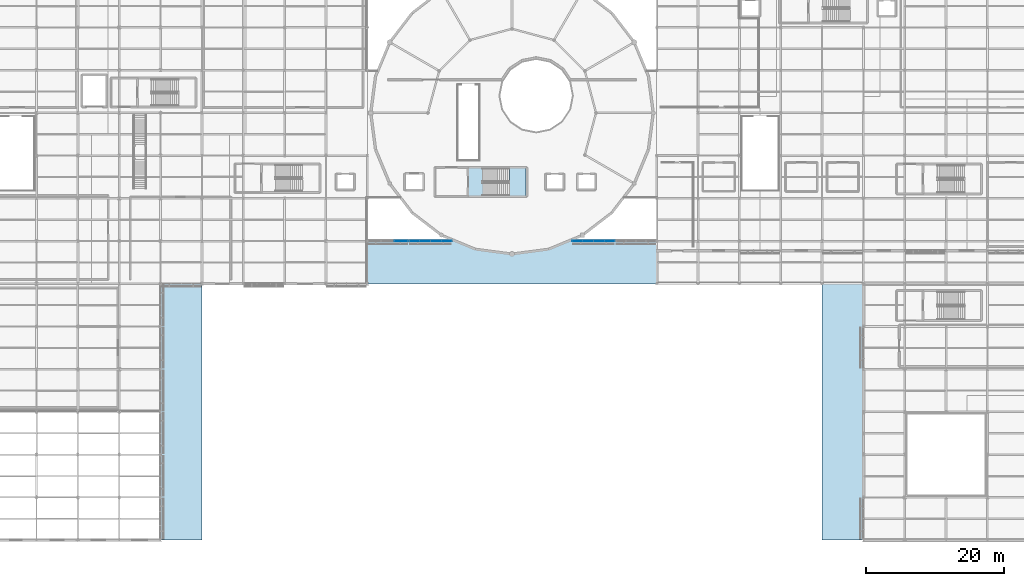
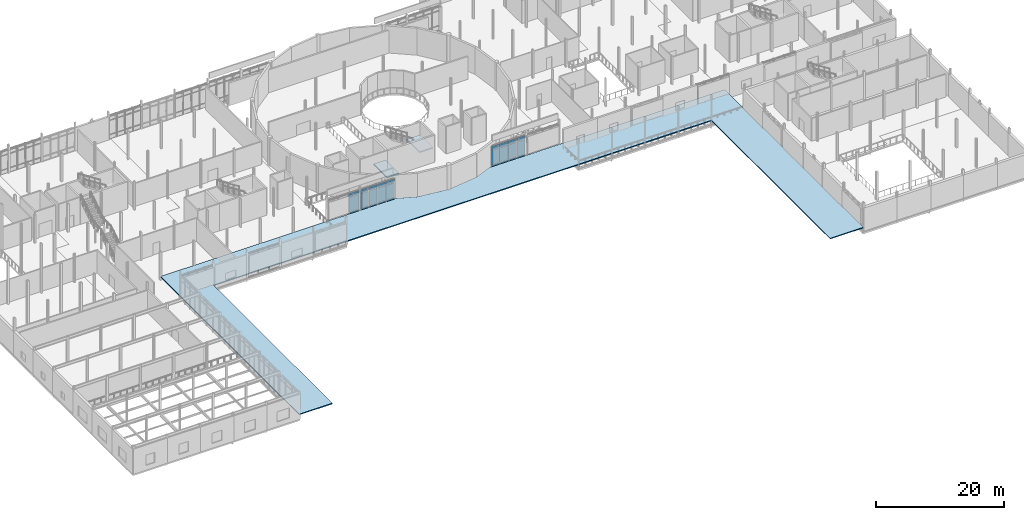
# One storey, part 57 of 105: 27 plates, 3 slabs, 4 elements without a shape of their own.
"""IFC4 building model written with IfcOpenShell, lengths in metres."""

from ifc_helpers import new_model, si_unit, direction, frame, origin, origin_2d, place, context, subcontext, project, spatial, polyline, rectangle, outline, extrude, material, layer, layer_set, type_object, element, aggregate, save


model = new_model("IFC4")

# Units and contexts
model_context = context("Model", 3, precision=1e-05, world=origin(), true_north=direction((0.0, 1.0)))
body_context = subcontext(model_context, "Body", "Model", "MODEL_VIEW")
ifc_project = project(units=[si_unit("LENGTHUNIT", "METRE"), si_unit("AREAUNIT", "SQUARE_METRE"), si_unit("VOLUMEUNIT", "CUBIC_METRE"), si_unit("PLANEANGLEUNIT", "RADIAN"), si_unit("MASSUNIT", "GRAM", prefix="KILO")], contexts=[model_context])

# Site, building, storey
site_placement = place(None, origin())
site = spatial("IfcSite", under=ifc_project, at=site_placement, CompositionType="ELEMENT")
building_placement = place(site_placement, origin())
building = spatial("IfcBuilding", under=site, at=building_placement, Name="Mirzam Square Science Centre", CompositionType="ELEMENT")
storey_placement = place(building_placement, frame((0.0, 0.0, 5.39990234375)))
storey = spatial("IfcBuildingStorey", under=building, at=storey_placement, Name="L01", CompositionType="ELEMENT", Elevation=5.39990234375)

# Curtain wall, plates
ifc_material_1 = material(Name="Anodised Aluminium and Low-E Solar Glass", Category="aluminium")
ifc_layer_1 = layer(ifc_material_1, 0.239990234375)
ifc_layer_set_1 = layer_set([ifc_layer_1], Name="CW-EAST-B")
curtain_wall_type_1 = type_object("IfcCurtainWallType", Name="CW-EAST-B", PredefinedType="USERDEFINED", material=ifc_layer_set_1)
curtain_wall_1_placement = place(storey_placement, origin())
curtain_wall_1 = element("IfcCurtainWall", 1, at=curtain_wall_1_placement, inside=storey, type_object=curtain_wall_type_1, Name="L01 unitised curtain wall 51", ObjectType="UNITISED CURTAIN WALL", PredefinedType="USERDEFINED")
ifc_material_2 = material(Name="Ceramic-Fritted Courtyard Solar Glass", Category="glass")
ifc_layer_2 = layer(ifc_material_2, 0.02392578125)
ifc_layer_set_2 = layer_set([ifc_layer_2], Name="CWP-GLZ-24")
plate_type_1 = type_object("IfcPlateType", Name="CWP-GLZ-24", PredefinedType="CURTAIN_PANEL", material=ifc_layer_set_2)
plate_1_placement = place(storey_placement, frame((64.947021484375, 43.39990234375, 0.06494140625), z_axis=(0.0, 0.0, 1.0), x_axis=(1.0, 0.0, 0.0)))
plate_1 = element("IfcPlate", 2, at=plate_1_placement, type_object=plate_type_1, Name="CW-06 panel 3.1", PredefinedType="CURTAIN_PANEL", context=body_context, shape_type="SweptSolid", body=[
    extrude(rectangle(XDim=1.86572265625, YDim=0.02392578125, at=origin_2d()), origin(), (0.0, 0.0, 1.0), 0.802490234375),
])
plate_2_placement = place(storey_placement, frame((64.947021484375, 43.39990234375, 0.9326171875), z_axis=(0.0, 0.0, 1.0), x_axis=(1.0, 0.0, 0.0)))
plate_2 = element("IfcPlate", 3, at=plate_2_placement, type_object=plate_type_1, Name="CW-06 panel 3.2", PredefinedType="CURTAIN_PANEL", context=body_context, shape_type="SweptSolid", body=[
    extrude(rectangle(XDim=1.86572265625, YDim=0.02392578125, at=origin_2d()), origin(), (0.0, 0.0, 1.0), 2.784912109375),
])
plate_3_placement = place(storey_placement, frame((64.947021484375, 43.39990234375, 3.78271484375), z_axis=(0.0, 0.0, 1.0), x_axis=(1.0, 0.0, 0.0)))
plate_3 = element("IfcPlate", 4, at=plate_3_placement, type_object=plate_type_1, Name="CW-06 panel 3.3", PredefinedType="CURTAIN_PANEL", context=body_context, shape_type="SweptSolid", body=[
    extrude(rectangle(XDim=1.86572265625, YDim=0.02392578125, at=origin_2d()), origin(), (0.0, 0.0, 1.0), 0.702392578125),
])
aggregate(curtain_wall_1, [plate_1, plate_2, plate_3])

ifc_layer_3 = layer(ifc_material_1, 0.179931640625)
ifc_layer_set_3 = layer_set([ifc_layer_3], Name="CW-LINK-A")
curtain_wall_type_2 = type_object("IfcCurtainWallType", Name="CW-LINK-A", PredefinedType="USERDEFINED", material=ifc_layer_set_3)
curtain_wall_2_placement = place(storey_placement, origin())
curtain_wall_2 = element("IfcCurtainWall", 5, at=curtain_wall_2_placement, inside=storey, type_object=curtain_wall_type_2, Name="L01 unitised curtain wall 53", ObjectType="UNITISED CURTAIN WALL", PredefinedType="USERDEFINED")
ifc_material_3 = material(Name="Double-Silver Low-E Insulated Solar Glass", Category="glass")
ifc_layer_4 = layer(ifc_material_3, 0.028076171875)
ifc_layer_set_4 = layer_set([ifc_layer_4], Name="CWP-GLZ-28")
plate_type_2 = type_object("IfcPlateType", Name="CWP-GLZ-28", PredefinedType="CURTAIN_PANEL", material=ifc_layer_set_4)
plate_4_placement = place(storey_placement, frame((66.85009765625, 43.39990234375, 0.06005859375), z_axis=(0.0, 0.0, 1.0), x_axis=(1.0, 0.0, 0.0)))
plate_4 = element("IfcPlate", 6, at=plate_4_placement, type_object=plate_type_2, Name="CW-08 panel 1.1", PredefinedType="CURTAIN_PANEL", context=body_context, shape_type="SweptSolid", body=[
    extrude(rectangle(XDim=1.469970703125, YDim=0.028076171875, at=origin_2d()), origin(), (0.0, 0.0, 1.0), 0.81005859375),
])
plate_5_placement = place(storey_placement, frame((66.85009765625, 43.39990234375, 0.93017578125), z_axis=(0.0, 0.0, 1.0), x_axis=(1.0, 0.0, 0.0)))
plate_5 = element("IfcPlate", 7, at=plate_5_placement, type_object=plate_type_2, Name="CW-08 panel 1.2", PredefinedType="CURTAIN_PANEL", context=body_context, shape_type="SweptSolid", body=[
    extrude(rectangle(XDim=1.469970703125, YDim=0.028076171875, at=origin_2d()), origin(), (0.0, 0.0, 1.0), 2.7900390625),
])
plate_6_placement = place(storey_placement, frame((66.85009765625, 43.39990234375, 3.780029296875), z_axis=(0.0, 0.0, 1.0), x_axis=(1.0, 0.0, 0.0)))
plate_6 = element("IfcPlate", 8, at=plate_6_placement, type_object=plate_type_2, Name="CW-08 panel 1.3", PredefinedType="CURTAIN_PANEL", context=body_context, shape_type="SweptSolid", body=[
    extrude(rectangle(XDim=1.469970703125, YDim=0.028076171875, at=origin_2d()), origin(), (0.0, 0.0, 1.0), 0.7099609375),
])
plate_7_placement = place(storey_placement, frame((68.39501953125, 43.39990234375, 0.06005859375), z_axis=(0.0, 0.0, 1.0), x_axis=(1.0, 0.0, 0.0)))
plate_7 = element("IfcPlate", 9, at=plate_7_placement, type_object=plate_type_2, Name="CW-08 panel 2.1", PredefinedType="CURTAIN_PANEL", context=body_context, shape_type="SweptSolid", body=[
    extrude(rectangle(XDim=1.5, YDim=0.028076171875, at=origin_2d()), origin(), (0.0, 0.0, 1.0), 0.81005859375),
])
plate_8_placement = place(storey_placement, frame((68.39501953125, 43.39990234375, 0.93017578125), z_axis=(0.0, 0.0, 1.0), x_axis=(1.0, 0.0, 0.0)))
plate_8 = element("IfcPlate", 10, at=plate_8_placement, type_object=plate_type_2, Name="CW-08 panel 2.2", PredefinedType="CURTAIN_PANEL", context=body_context, shape_type="SweptSolid", body=[
    extrude(rectangle(XDim=1.5, YDim=0.028076171875, at=origin_2d()), origin(), (0.0, 0.0, 1.0), 2.7900390625),
])
plate_9_placement = place(storey_placement, frame((68.39501953125, 43.39990234375, 3.780029296875), z_axis=(0.0, 0.0, 1.0), x_axis=(1.0, 0.0, 0.0)))
plate_9 = element("IfcPlate", 11, at=plate_9_placement, type_object=plate_type_2, Name="CW-08 panel 2.3", PredefinedType="CURTAIN_PANEL", context=body_context, shape_type="SweptSolid", body=[
    extrude(rectangle(XDim=1.5, YDim=0.028076171875, at=origin_2d()), origin(), (0.0, 0.0, 1.0), 0.7099609375),
])
plate_10_placement = place(storey_placement, frame((69.955078125, 43.39990234375, 0.06005859375), z_axis=(0.0, 0.0, 1.0), x_axis=(1.0, 0.0, 0.0)))
plate_10 = element("IfcPlate", 12, at=plate_10_placement, type_object=plate_type_2, Name="CW-08 panel 3.1", PredefinedType="CURTAIN_PANEL", context=body_context, shape_type="SweptSolid", body=[
    extrude(rectangle(XDim=1.5, YDim=0.028076171875, at=origin_2d()), origin(), (0.0, 0.0, 1.0), 0.81005859375),
])
plate_11_placement = place(storey_placement, frame((69.955078125, 43.39990234375, 0.93017578125), z_axis=(0.0, 0.0, 1.0), x_axis=(1.0, 0.0, 0.0)))
plate_11 = element("IfcPlate", 13, at=plate_11_placement, type_object=plate_type_2, Name="CW-08 panel 3.2", PredefinedType="CURTAIN_PANEL", context=body_context, shape_type="SweptSolid", body=[
    extrude(rectangle(XDim=1.5, YDim=0.028076171875, at=origin_2d()), origin(), (0.0, 0.0, 1.0), 2.7900390625),
])
plate_12_placement = place(storey_placement, frame((69.955078125, 43.39990234375, 3.780029296875), z_axis=(0.0, 0.0, 1.0), x_axis=(1.0, 0.0, 0.0)))
plate_12 = element("IfcPlate", 14, at=plate_12_placement, type_object=plate_type_2, Name="CW-08 panel 3.3", PredefinedType="CURTAIN_PANEL", context=body_context, shape_type="SweptSolid", body=[
    extrude(rectangle(XDim=1.5, YDim=0.028076171875, at=origin_2d()), origin(), (0.0, 0.0, 1.0), 0.7099609375),
])
plate_13_placement = place(storey_placement, frame((71.5, 43.39990234375, 0.06005859375), z_axis=(0.0, 0.0, 1.0), x_axis=(1.0, 0.0, 0.0)))
plate_13 = element("IfcPlate", 15, at=plate_13_placement, type_object=plate_type_2, Name="CW-08 panel 4.1", PredefinedType="CURTAIN_PANEL", context=body_context, shape_type="SweptSolid", body=[
    extrude(rectangle(XDim=1.469970703125, YDim=0.028076171875, at=origin_2d()), origin(), (0.0, 0.0, 1.0), 0.81005859375),
])
plate_14_placement = place(storey_placement, frame((71.5, 43.39990234375, 0.93017578125), z_axis=(0.0, 0.0, 1.0), x_axis=(1.0, 0.0, 0.0)))
plate_14 = element("IfcPlate", 16, at=plate_14_placement, type_object=plate_type_2, Name="CW-08 panel 4.2", PredefinedType="CURTAIN_PANEL", context=body_context, shape_type="SweptSolid", body=[
    extrude(rectangle(XDim=1.469970703125, YDim=0.028076171875, at=origin_2d()), origin(), (0.0, 0.0, 1.0), 2.7900390625),
])
plate_15_placement = place(storey_placement, frame((71.5, 43.39990234375, 3.780029296875), z_axis=(0.0, 0.0, 1.0), x_axis=(1.0, 0.0, 0.0)))
plate_15 = element("IfcPlate", 17, at=plate_15_placement, type_object=plate_type_2, Name="CW-08 panel 4.3", PredefinedType="CURTAIN_PANEL", context=body_context, shape_type="SweptSolid", body=[
    extrude(rectangle(XDim=1.469970703125, YDim=0.028076171875, at=origin_2d()), origin(), (0.0, 0.0, 1.0), 0.7099609375),
])
aggregate(curtain_wall_2, [plate_4, plate_5, plate_6, plate_7, plate_8, plate_9, plate_10, plate_11, plate_12, plate_13, plate_14, plate_15])

curtain_wall_3_placement = place(storey_placement, origin())
curtain_wall_3 = element("IfcCurtainWall", 18, at=curtain_wall_3_placement, inside=storey, type_object=curtain_wall_type_2, Name="L01 unitised curtain wall 55", ObjectType="UNITISED CURTAIN WALL", PredefinedType="USERDEFINED")
plate_16_placement = place(storey_placement, frame((90.5, 43.39990234375, 0.06005859375), z_axis=(0.0, 0.0, 1.0), x_axis=(1.0, 0.0, 0.0)))
plate_16 = element("IfcPlate", 19, at=plate_16_placement, type_object=plate_type_2, Name="CW-08 panel 1.1", PredefinedType="CURTAIN_PANEL", context=body_context, shape_type="SweptSolid", body=[
    extrude(rectangle(XDim=1.469970703125, YDim=0.028076171875, at=origin_2d()), origin(), (0.0, 0.0, 1.0), 0.81005859375),
])
plate_17_placement = place(storey_placement, frame((90.5, 43.39990234375, 0.93017578125), z_axis=(0.0, 0.0, 1.0), x_axis=(1.0, 0.0, 0.0)))
plate_17 = element("IfcPlate", 20, at=plate_17_placement, type_object=plate_type_2, Name="CW-08 panel 1.2", PredefinedType="CURTAIN_PANEL", context=body_context, shape_type="SweptSolid", body=[
    extrude(rectangle(XDim=1.469970703125, YDim=0.028076171875, at=origin_2d()), origin(), (0.0, 0.0, 1.0), 2.7900390625),
])
plate_18_placement = place(storey_placement, frame((90.5, 43.39990234375, 3.780029296875), z_axis=(0.0, 0.0, 1.0), x_axis=(1.0, 0.0, 0.0)))
plate_18 = element("IfcPlate", 21, at=plate_18_placement, type_object=plate_type_2, Name="CW-08 panel 1.3", PredefinedType="CURTAIN_PANEL", context=body_context, shape_type="SweptSolid", body=[
    extrude(rectangle(XDim=1.469970703125, YDim=0.028076171875, at=origin_2d()), origin(), (0.0, 0.0, 1.0), 0.7099609375),
])
plate_19_placement = place(storey_placement, frame((92.044921875, 43.39990234375, 0.06005859375), z_axis=(0.0, 0.0, 1.0), x_axis=(1.0, 0.0, 0.0)))
plate_19 = element("IfcPlate", 22, at=plate_19_placement, type_object=plate_type_2, Name="CW-08 panel 2.1", PredefinedType="CURTAIN_PANEL", context=body_context, shape_type="SweptSolid", body=[
    extrude(rectangle(XDim=1.5, YDim=0.028076171875, at=origin_2d()), origin(), (0.0, 0.0, 1.0), 0.81005859375),
])
plate_20_placement = place(storey_placement, frame((92.044921875, 43.39990234375, 0.93017578125), z_axis=(0.0, 0.0, 1.0), x_axis=(1.0, 0.0, 0.0)))
plate_20 = element("IfcPlate", 23, at=plate_20_placement, type_object=plate_type_2, Name="CW-08 panel 2.2", PredefinedType="CURTAIN_PANEL", context=body_context, shape_type="SweptSolid", body=[
    extrude(rectangle(XDim=1.5, YDim=0.028076171875, at=origin_2d()), origin(), (0.0, 0.0, 1.0), 2.7900390625),
])
plate_21_placement = place(storey_placement, frame((92.044921875, 43.39990234375, 3.780029296875), z_axis=(0.0, 0.0, 1.0), x_axis=(1.0, 0.0, 0.0)))
plate_21 = element("IfcPlate", 24, at=plate_21_placement, type_object=plate_type_2, Name="CW-08 panel 2.3", PredefinedType="CURTAIN_PANEL", context=body_context, shape_type="SweptSolid", body=[
    extrude(rectangle(XDim=1.5, YDim=0.028076171875, at=origin_2d()), origin(), (0.0, 0.0, 1.0), 0.7099609375),
])
plate_22_placement = place(storey_placement, frame((93.60498046875, 43.39990234375, 0.06005859375), z_axis=(0.0, 0.0, 1.0), x_axis=(1.0, 0.0, 0.0)))
plate_22 = element("IfcPlate", 25, at=plate_22_placement, type_object=plate_type_2, Name="CW-08 panel 3.1", PredefinedType="CURTAIN_PANEL", context=body_context, shape_type="SweptSolid", body=[
    extrude(rectangle(XDim=1.5, YDim=0.028076171875, at=origin_2d()), origin(), (0.0, 0.0, 1.0), 0.81005859375),
])
plate_23_placement = place(storey_placement, frame((93.60498046875, 43.39990234375, 0.93017578125), z_axis=(0.0, 0.0, 1.0), x_axis=(1.0, 0.0, 0.0)))
plate_23 = element("IfcPlate", 26, at=plate_23_placement, type_object=plate_type_2, Name="CW-08 panel 3.2", PredefinedType="CURTAIN_PANEL", context=body_context, shape_type="SweptSolid", body=[
    extrude(rectangle(XDim=1.5, YDim=0.028076171875, at=origin_2d()), origin(), (0.0, 0.0, 1.0), 2.7900390625),
])
plate_24_placement = place(storey_placement, frame((93.60498046875, 43.39990234375, 3.780029296875), z_axis=(0.0, 0.0, 1.0), x_axis=(1.0, 0.0, 0.0)))
plate_24 = element("IfcPlate", 27, at=plate_24_placement, type_object=plate_type_2, Name="CW-08 panel 3.3", PredefinedType="CURTAIN_PANEL", context=body_context, shape_type="SweptSolid", body=[
    extrude(rectangle(XDim=1.5, YDim=0.028076171875, at=origin_2d()), origin(), (0.0, 0.0, 1.0), 0.7099609375),
])
plate_25_placement = place(storey_placement, frame((95.14990234375, 43.39990234375, 0.06005859375), z_axis=(0.0, 0.0, 1.0), x_axis=(1.0, 0.0, 0.0)))
plate_25 = element("IfcPlate", 28, at=plate_25_placement, type_object=plate_type_2, Name="CW-08 panel 4.1", PredefinedType="CURTAIN_PANEL", context=body_context, shape_type="SweptSolid", body=[
    extrude(rectangle(XDim=1.469970703125, YDim=0.028076171875, at=origin_2d()), origin(), (0.0, 0.0, 1.0), 0.81005859375),
])
plate_26_placement = place(storey_placement, frame((95.14990234375, 43.39990234375, 0.93017578125), z_axis=(0.0, 0.0, 1.0), x_axis=(1.0, 0.0, 0.0)))
plate_26 = element("IfcPlate", 29, at=plate_26_placement, type_object=plate_type_2, Name="CW-08 panel 4.2", PredefinedType="CURTAIN_PANEL", context=body_context, shape_type="SweptSolid", body=[
    extrude(rectangle(XDim=1.469970703125, YDim=0.028076171875, at=origin_2d()), origin(), (0.0, 0.0, 1.0), 2.7900390625),
])
plate_27_placement = place(storey_placement, frame((95.14990234375, 43.39990234375, 3.780029296875), z_axis=(0.0, 0.0, 1.0), x_axis=(1.0, 0.0, 0.0)))
plate_27 = element("IfcPlate", 30, at=plate_27_placement, type_object=plate_type_2, Name="CW-08 panel 4.3", PredefinedType="CURTAIN_PANEL", context=body_context, shape_type="SweptSolid", body=[
    extrude(rectangle(XDim=1.469970703125, YDim=0.028076171875, at=origin_2d()), origin(), (0.0, 0.0, 1.0), 0.7099609375),
])
aggregate(curtain_wall_3, [plate_16, plate_17, plate_18, plate_19, plate_20, plate_21, plate_22, plate_23, plate_24, plate_25, plate_26, plate_27])

# Slab
ifc_material_4 = material(Name="Bronze-Soffit Shaded Arcade Deck C40/50", Category="concrete")
ifc_layer_5 = layer(ifc_material_4, 0.179931640625)
ifc_layer_set_5 = layer_set([ifc_layer_5], Name="SL-ARCADE-ROOF-180")
slab_type_1 = type_object("IfcSlabType", Name="SL-ARCADE-ROOF-180", PredefinedType="ROOF", material=ifc_layer_set_5)
slab_1_placement = place(storey_placement, frame((0.0, 0.0, 0.420166015625)))
element("IfcSlab", 31, at=slab_1_placement, inside=storey, type_object=slab_type_1, Name="Three-sided civic square colonnade roof 1", PredefinedType="ROOF", context=body_context, shape_type="SweptSolid", body=[
    extrude(outline(polyline([(30.0, 0.0), (30.0, 43.39990234375), (72.63818359375, 43.39990234375), (75.6787109375, 42.140625), (81.0, 41.43994140625), (86.3212890625, 42.140625), (89.36181640625, 43.39990234375), (132.0, 43.39990234375), (132.0, 0.0), (126.0, 0.0), (126.0, 37.199951171875), (36.0, 37.199951171875), (36.0, 0.0), (30.0, 0.0)])), origin(), (0.0, 0.0, 1.0), 0.179931640625),
])

# Stair, slab
ifc_material_5 = material(Name="Concrete C40/50", Category="concrete")
stair_type = type_object("IfcStairType", Name="ST-CORE-3-540", PredefinedType="HALF_TURN_STAIR", material=ifc_material_5)
stair_placement = place(storey_placement, origin())
stair = element("IfcStair", 32, at=stair_placement, inside=storey, type_object=stair_type, Name="L01 ST-03", PredefinedType="HALF_TURN_STAIR")
ifc_layer_6 = layer(ifc_material_5, 0.199951171875)
ifc_layer_set_6 = layer_set([ifc_layer_6], Name="SL-LANDING-200")
slab_type_2 = type_object("IfcSlabType", Name="SL-LANDING-200", PredefinedType="LANDING", material=ifc_layer_set_6)
slab_2_placement = place(storey_placement, frame((0.0, 0.0, 2.5)))
slab_2 = element("IfcSlab", 33, at=slab_2_placement, type_object=slab_type_2, Name="ST-03 landing 1", PredefinedType="LANDING", context=body_context, shape_type="SweptSolid", body=[
    extrude(outline(polyline([(80.610107421875, 49.949951171875), (83.050048828125, 49.949951171875), (83.050048828125, 53.97998046875), (80.610107421875, 53.97998046875), (80.610107421875, 49.949951171875)])), origin(), (0.0, 0.0, 1.0), 0.2001953125),
])
aggregate(stair, [slab_2])

# Slab
slab_3_placement = place(storey_placement, frame((0.0, 0.0, -0.199951171875)))
element("IfcSlab", 34, at=slab_3_placement, inside=storey, type_object=slab_type_2, Name="L01 CORE-3 floor landing", PredefinedType="LANDING", context=body_context, shape_type="SweptSolid", body=[
    extrude(outline(polyline([(76.840087890625, 49.844970703125), (74.64501953125, 49.844970703125), (74.64501953125, 54.0849609375), (76.840087890625, 54.0849609375), (76.840087890625, 49.844970703125)])), origin(), (0.0, 0.0, 1.0), 0.199951171875),
])

save(model, "model.ifc")
